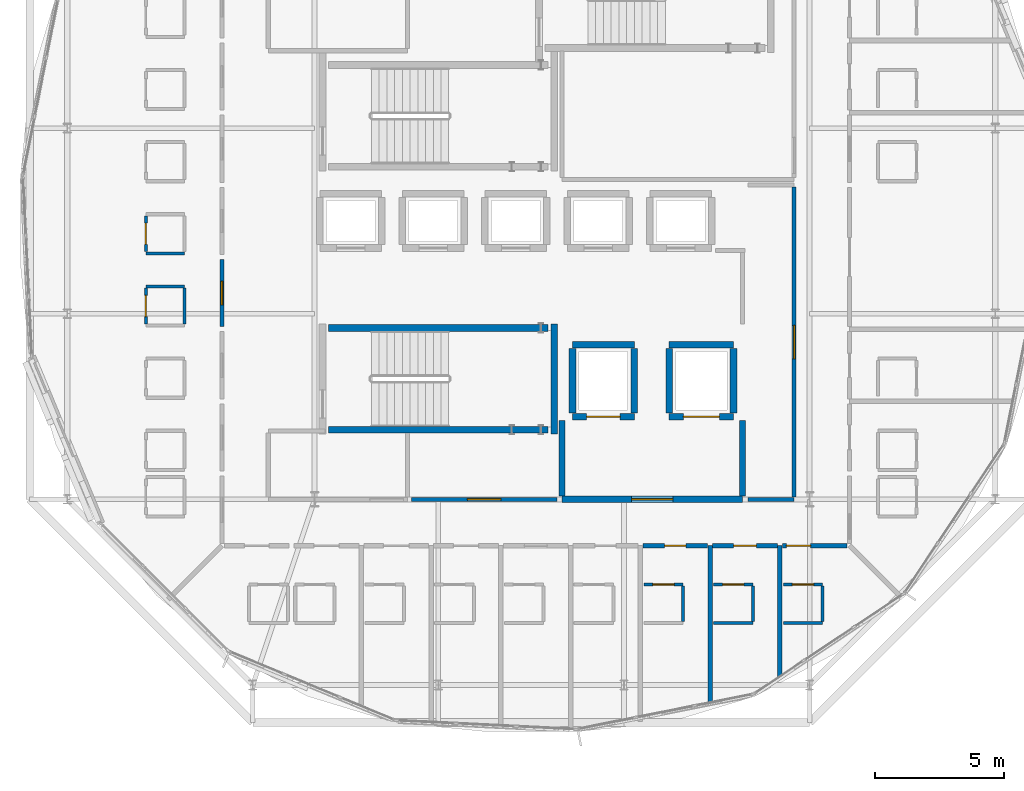
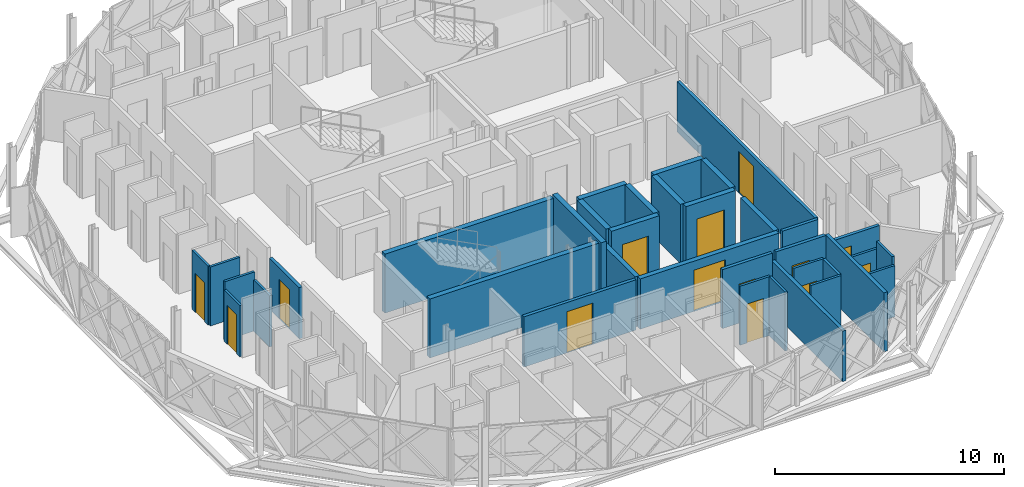
# One storey, part 14 of 24: 36 walls, 14 doors, 14 openings.
"""IFC4 building model written with IfcOpenShell, lengths in metres."""

from ifc_helpers import new_model, si_unit, direction, frame, frame_2d, origin, place, context, subcontext, project, spatial, rectangle, extrude, material, layer, layer_set, type_object, element, fill, save


model = new_model("IFC4")

# Units and contexts
model_context = context("Model", 3, precision=1e-05, world=origin(), true_north=direction((0.0, 1.0)))
body_context = subcontext(model_context, "Body", "Model", "MODEL_VIEW")
ifc_project = project(units=[si_unit("LENGTHUNIT", "METRE"), si_unit("AREAUNIT", "SQUARE_METRE"), si_unit("VOLUMEUNIT", "CUBIC_METRE"), si_unit("PLANEANGLEUNIT", "RADIAN"), si_unit("MASSUNIT", "GRAM", prefix="KILO")], contexts=[model_context])

# Site, building, storey
site_placement = place(None, origin())
site = spatial("IfcSite", under=ifc_project, at=site_placement, CompositionType="ELEMENT")
building_placement = place(site_placement, origin())
building = spatial("IfcBuilding", under=site, at=building_placement, Name="Zevrakil Square Congress Hotel", CompositionType="ELEMENT")
storey_placement = place(building_placement, frame((0.0, 0.0, 38.5)))
storey = spatial("IfcBuildingStorey", under=building, at=storey_placement, Name="L11", CompositionType="ELEMENT", Elevation=38.5)

# Wall, opening, door
ifc_material_1 = material(Name="Concrete C35/45", Category="concrete")
ifc_layer_1 = layer(ifc_material_1, 0.239990234375)
ifc_layer_set_1 = layer_set([ifc_layer_1], Name="Concrete C35/45")
wall_type_1 = type_object("IfcWallType", Name="WAL-COMP-240", PredefinedType="SOLIDWALL", material=ifc_layer_set_1)
wall_1_placement = place(storey_placement, frame((146.39990234375, 16.800048828125, 0.0), z_axis=(0.0, 0.0, 1.0), x_axis=(1.0, 0.0, 0.0)))
wall_1 = element("IfcWall", 1, at=wall_1_placement, inside=storey, type_object=wall_type_1, Name="L11 interior partition PW-L11-1777", PredefinedType="SOLIDWALL", context=body_context, shape_type="SweptSolid", body=[
    extrude(rectangle(XDim=7.0, YDim=0.239990234375, at=frame_2d((3.5, 0.0))), origin(), (0.0, 0.0, 1.0), 2.68505859375),
])
opening_1_placement = place(wall_1_placement, frame((2.699951171875, 0.0, 0.0)))
opening_1 = element("IfcOpeningElement", 2, at=opening_1_placement, cuts=wall_1, Name="Opening FD90-D", PredefinedType="OPENING", context=body_context, shape_type="SweptSolid", body=[
    extrude(rectangle(XDim=1.60009765625, YDim=2.199951171875, at=frame_2d((0.800048828125, 1.10009765625))), frame((0.0, 0.1298828125, 0.0), z_axis=(0.0, -1.0, 0.0), x_axis=(1.0, 0.0, 0.0)), (0.0, 0.0, 1.0), 0.260009765625),
])
ifc_material_2 = material(Name="Steel S355 Double Fire Door", Category="steel")
door_type_1 = type_object("IfcDoorType", Name="DOR-FFLOB-FD90-160", OperationType="NOTDEFINED", PredefinedType="DOOR", material=ifc_material_2)
door_1_placement = place(opening_1_placement, origin())
door_1 = element("IfcDoor", 3, at=door_1_placement, inside=storey, type_object=door_type_1, Name="L11 interior door 691", OperationType="DOUBLE_DOOR_SINGLE_SWING", OverallHeight=2.199951171875, OverallWidth=1.60009765625, PredefinedType="DOOR", context=body_context, shape_type="SweptSolid", body=[
    extrude(rectangle(XDim=1.60009765625, YDim=2.199951171875, at=frame_2d((0.800048828125, 1.10009765625))), frame((0.0, 0.02490234375, 0.0), z_axis=(0.0, -1.0, 0.0), x_axis=(1.0, 0.0, 0.0)), (0.0, 0.0, 1.0), 0.050048828125),
])
fill(opening_1, door_1)

# Walls
for number, where, z_axis, x_axis, name in (
    (4, (146.39990234375, 16.925048828125, 0.0), (0.0, 0.0, 1.0), (0.0, 1.0, 0.0), "L11 interior partition PW-L11-1778"),
    (5, (153.39990234375, 16.925048828125, 0.0), (0.0, 0.0, 1.0), (0.0, 1.0, 0.0), "L11 interior partition PW-L11-1779"),
):
    element("IfcWall", number, at=place(storey_placement, frame(where, z_axis=z_axis, x_axis=x_axis)), inside=storey, type_object=wall_type_1, Name=name, PredefinedType="SOLIDWALL", context=body_context, shape_type="SweptSolid", body=[
        extrude(rectangle(XDim=2.925048828125, YDim=0.239990234375, at=frame_2d((1.46240234375, 0.0))), origin(), (0.0, 0.0, 1.0), 2.68505859375),
    ])

# Wall, opening, door
ifc_material_3 = material(Name="Gypsum Acoustic Stud Partition")
ifc_layer_2 = layer(ifc_material_3, 0.159912109375)
ifc_layer_set_2 = layer_set([ifc_layer_2], Name="Gypsum Acoustic Stud Partition")
wall_type_2 = type_object("IfcWallType", Name="WAL-CORR-160", PredefinedType="PARTITIONING", material=ifc_layer_set_2)
wall_2_placement = place(storey_placement, frame((140.550048828125, 16.800048828125, 0.0), z_axis=(0.0, 0.0, 1.0), x_axis=(1.0, 0.0, 0.0)))
wall_2 = element("IfcWall", 6, at=wall_2_placement, inside=storey, type_object=wall_type_2, Name="L11 interior partition PW-L11-1784", PredefinedType="PARTITIONING", context=body_context, shape_type="SweptSolid", body=[
    extrude(rectangle(XDim=5.64990234375, YDim=0.159912109375, at=frame_2d((2.824951171875, 0.0))), origin(), (0.0, 0.0, 1.0), 2.68505859375),
])
opening_2_placement = place(wall_2_placement, frame((2.175048828125, 0.0, 0.0)))
opening_2 = element("IfcOpeningElement", 7, at=opening_2_placement, cuts=wall_2, Name="Opening ID-08", PredefinedType="OPENING", context=body_context, shape_type="SweptSolid", body=[
    extrude(rectangle(XDim=1.300048828125, YDim=2.199951171875, at=frame_2d((0.64990234375, 1.10009765625))), frame((0.0, 0.08984375, 0.0), z_axis=(0.0, -1.0, 0.0), x_axis=(1.0, 0.0, 0.0)), (0.0, 0.0, 1.0), 0.179931640625),
])
ifc_material_4 = material(Name="Service Corridor Leaf-and-Half Door")
door_type_2 = type_object("IfcDoorType", Name="DOR-BOH-130", OperationType="NOTDEFINED", PredefinedType="DOOR", material=ifc_material_4)
door_2_placement = place(opening_2_placement, origin())
door_2 = element("IfcDoor", 8, at=door_2_placement, inside=storey, type_object=door_type_2, Name="L11 interior door 693", OperationType="SINGLE_SWING_LEFT", OverallHeight=2.199951171875, OverallWidth=1.300048828125, PredefinedType="DOOR", context=body_context, shape_type="SweptSolid", body=[
    extrude(rectangle(XDim=1.300048828125, YDim=2.199951171875, at=frame_2d((0.64990234375, 1.10009765625))), frame((0.0, 0.02490234375, 0.0), z_axis=(0.0, -1.0, 0.0), x_axis=(1.0, 0.0, 0.0)), (0.0, 0.0, 1.0), 0.050048828125),
])
fill(opening_2, door_2)

# Wall
wall_3_placement = place(storey_placement, frame((153.60009765625, 16.800048828125, 0.0), z_axis=(0.0, 0.0, 1.0), x_axis=(1.0, 0.0, 0.0)))
element("IfcWall", 9, at=wall_3_placement, inside=storey, type_object=wall_type_2, Name="L11 interior partition PW-L11-1793", PredefinedType="PARTITIONING", context=body_context, shape_type="SweptSolid", body=[
    extrude(rectangle(XDim=1.7998046875, YDim=0.159912109375, at=frame_2d((0.89990234375, 0.0))), origin(), (0.0, 0.0, 1.0), 2.68505859375),
])

# Wall, opening, door
wall_4_placement = place(storey_placement, frame((155.39990234375, 16.885009765625, 0.0), z_axis=(0.0, 0.0, 1.0), x_axis=(0.0, 1.0, 0.0)))
wall_4 = element("IfcWall", 10, at=wall_4_placement, inside=storey, type_object=wall_type_2, Name="L11 interior partition PW-L11-1795", PredefinedType="PARTITIONING", context=body_context, shape_type="SweptSolid", body=[
    extrude(rectangle(XDim=12.030029296875, YDim=0.159912109375, at=frame_2d((6.01513671875, 0.0))), origin(), (0.0, 0.0, 1.0), 2.68505859375),
])
opening_3_placement = place(wall_4_placement, frame((5.364990234375, 0.0, 0.0)))
opening_3 = element("IfcOpeningElement", 11, at=opening_3_placement, cuts=wall_4, Name="Opening ID-08", PredefinedType="OPENING", context=body_context, shape_type="SweptSolid", body=[
    extrude(rectangle(XDim=1.300048828125, YDim=2.199951171875, at=frame_2d((0.64990234375, 1.10009765625))), frame((0.0, 0.08984375, 0.0), z_axis=(0.0, -1.0, 0.0), x_axis=(1.0, 0.0, 0.0)), (0.0, 0.0, 1.0), 0.179931640625),
])
door_3_placement = place(opening_3_placement, origin())
door_3 = element("IfcDoor", 12, at=door_3_placement, inside=storey, type_object=door_type_2, Name="L11 interior door 696", OperationType="SINGLE_SWING_RIGHT", OverallHeight=2.199951171875, OverallWidth=1.300048828125, PredefinedType="DOOR", context=body_context, shape_type="SweptSolid", body=[
    extrude(rectangle(XDim=1.300048828125, YDim=2.199951171875, at=frame_2d((0.64990234375, 1.10009765625))), frame((0.0, 0.02490234375, 0.0), z_axis=(0.0, -1.0, 0.0), x_axis=(1.0, 0.0, 0.0)), (0.0, 0.0, 1.0), 0.050048828125),
])
fill(opening_3, door_3)

wall_5_placement = place(storey_placement, frame((149.5283203125, 15.0, 0.0), z_axis=(0.0, 0.0, 1.0), x_axis=(1.0, 0.0, 0.0)))
wall_5 = element("IfcWall", 13, at=wall_5_placement, inside=storey, type_object=wall_type_2, Name="L11 interior partition PW-L11-1831", PredefinedType="PARTITIONING", context=body_context, shape_type="SweptSolid", body=[
    extrude(rectangle(XDim=2.515625, YDim=0.159912109375, at=frame_2d((1.2578125, 0.0))), origin(), (0.0, 0.0, 1.0), 3.14990234375),
])
opening_4_placement = place(wall_5_placement, frame((0.847900390625, 0.0, 0.0)))
opening_4 = element("IfcOpeningElement", 14, at=opening_4_placement, cuts=wall_5, Name="Opening ID-11", PredefinedType="OPENING", context=body_context, shape_type="SweptSolid", body=[
    extrude(rectangle(XDim=0.820068359375, YDim=2.080078125, at=frame_2d((0.41015625, 1.0400390625))), frame((0.0, 0.08984375, 0.0), z_axis=(0.0, -1.0, 0.0), x_axis=(1.0, 0.0, 0.0)), (0.0, 0.0, 1.0), 0.179931640625),
])
ifc_material_5 = material(Name="Acoustic Timber Door", Category="wood")
door_type_3 = type_object("IfcDoorType", Name="DOR-INT-V01", OperationType="NOTDEFINED", PredefinedType="DOOR", material=ifc_material_5)
door_4_placement = place(opening_4_placement, origin())
door_4 = element("IfcDoor", 15, at=door_4_placement, inside=storey, type_object=door_type_3, Name="L11 interior door 710", OperationType="SINGLE_SWING_RIGHT", OverallHeight=2.080078125, OverallWidth=0.820068359375, PredefinedType="DOOR", context=body_context, shape_type="SweptSolid", body=[
    extrude(rectangle(XDim=0.820068359375, YDim=2.080078125, at=frame_2d((0.41015625, 1.0400390625))), frame((0.0, 0.02490234375, 0.0), z_axis=(0.0, -1.0, 0.0), x_axis=(1.0, 0.0, 0.0)), (0.0, 0.0, 1.0), 0.050048828125),
])
fill(opening_4, door_4)

wall_6_placement = place(storey_placement, frame((152.23388671875, 15.0, 0.0), z_axis=(0.0, 0.0, 1.0), x_axis=(1.0, 0.0, 0.0)))
wall_6 = element("IfcWall", 16, at=wall_6_placement, inside=storey, type_object=wall_type_2, Name="L11 interior partition PW-L11-1836", PredefinedType="PARTITIONING", context=body_context, shape_type="SweptSolid", body=[
    extrude(rectangle(XDim=2.515625, YDim=0.159912109375, at=frame_2d((1.2578125, 0.0))), origin(), (0.0, 0.0, 1.0), 3.14990234375),
])
opening_5_placement = place(wall_6_placement, frame((0.81787109375, 0.0, 0.0)))
opening_5 = element("IfcOpeningElement", 17, at=opening_5_placement, cuts=wall_6, Name="Opening ID-12", PredefinedType="OPENING", context=body_context, shape_type="SweptSolid", body=[
    extrude(rectangle(XDim=0.8798828125, YDim=2.1201171875, at=frame_2d((0.43994140625, 1.06005859375))), frame((0.0, 0.08984375, 0.0), z_axis=(0.0, -1.0, 0.0), x_axis=(1.0, 0.0, 0.0)), (0.0, 0.0, 1.0), 0.179931640625),
])
ifc_material_6 = material(Name="Acoustic Timber Door", Category="wood")
door_type_4 = type_object("IfcDoorType", Name="DOR-INT-V02", OperationType="NOTDEFINED", PredefinedType="DOOR", material=ifc_material_6)
door_5_placement = place(opening_5_placement, origin())
door_5 = element("IfcDoor", 18, at=door_5_placement, inside=storey, type_object=door_type_4, Name="L11 interior door 712", OperationType="SINGLE_SWING_RIGHT", OverallHeight=2.1201171875, OverallWidth=0.8798828125, PredefinedType="DOOR", context=body_context, shape_type="SweptSolid", body=[
    extrude(rectangle(XDim=0.8798828125, YDim=2.1201171875, at=frame_2d((0.43994140625, 1.06005859375))), frame((0.0, 0.02490234375, 0.0), z_axis=(0.0, -1.0, 0.0), x_axis=(1.0, 0.0, 0.0)), (0.0, 0.0, 1.0), 0.050048828125),
])
fill(opening_5, door_5)

wall_7_placement = place(storey_placement, frame((154.939453125, 15.0, 0.0), z_axis=(0.0, 0.0, 1.0), x_axis=(1.0, 0.0, 0.0)))
wall_7 = element("IfcWall", 19, at=wall_7_placement, inside=storey, type_object=wall_type_2, Name="L11 interior partition PW-L11-1841", PredefinedType="PARTITIONING", context=body_context, shape_type="SweptSolid", body=[
    extrude(rectangle(XDim=2.515625, YDim=0.159912109375, at=frame_2d((1.2578125, 0.0))), origin(), (0.0, 0.0, 1.0), 2.735107421875),
])
opening_6_placement = place(wall_7_placement, frame((0.159912109375, 0.0, 0.0)))
opening_6 = element("IfcOpeningElement", 20, at=opening_6_placement, cuts=wall_7, Name="Opening ID-13", PredefinedType="OPENING", context=body_context, shape_type="SweptSolid", body=[
    extrude(rectangle(XDim=0.93994140625, YDim=2.139892578125, at=frame_2d((0.469970703125, 1.06982421875))), frame((0.0, 0.08984375, 0.0), z_axis=(0.0, -1.0, 0.0), x_axis=(1.0, 0.0, 0.0)), (0.0, 0.0, 1.0), 0.179931640625),
])
ifc_material_7 = material(Name="Acoustic Timber Fire Door", Category="wood")
door_type_5 = type_object("IfcDoorType", Name="DOR-INT-V03", OperationType="NOTDEFINED", PredefinedType="DOOR", material=ifc_material_7)
door_6_placement = place(opening_6_placement, origin())
door_6 = element("IfcDoor", 21, at=door_6_placement, inside=storey, type_object=door_type_5, Name="L11 interior door 714", OperationType="SINGLE_SWING_RIGHT", OverallHeight=2.139892578125, OverallWidth=0.93994140625, PredefinedType="DOOR", context=body_context, shape_type="SweptSolid", body=[
    extrude(rectangle(XDim=0.93994140625, YDim=2.139892578125, at=frame_2d((0.469970703125, 1.06982421875))), frame((0.0, 0.02490234375, 0.0), z_axis=(0.0, -1.0, 0.0), x_axis=(1.0, 0.0, 0.0)), (0.0, 0.0, 1.0), 0.050048828125),
])
fill(opening_6, door_6)

wall_8_placement = place(storey_placement, frame((133.199951171875, 23.4951171875, 0.0), z_axis=(0.0, 0.0, 1.0), x_axis=(0.0, 1.0, 0.0)))
wall_8 = element("IfcWall", 22, at=wall_8_placement, inside=storey, type_object=wall_type_2, Name="L11 interior partition PW-L11-1954", PredefinedType="PARTITIONING", context=body_context, shape_type="SweptSolid", body=[
    extrude(rectangle(XDim=2.60986328125, YDim=0.159912109375, at=frame_2d((1.304931640625, 0.0))), origin(), (0.0, 0.0, 1.0), 2.735107421875),
])
opening_7_placement = place(wall_8_placement, frame((0.8525390625, 0.0, 0.0)))
opening_7 = element("IfcOpeningElement", 23, at=opening_7_placement, cuts=wall_8, Name="Opening ID-G13", PredefinedType="OPENING", context=body_context, shape_type="SweptSolid", body=[
    extrude(rectangle(XDim=0.905029296875, YDim=2.110107421875, at=frame_2d((0.45263671875, 1.05517578125))), frame((0.0, 0.08984375, 0.0), z_axis=(0.0, -1.0, 0.0), x_axis=(1.0, 0.0, 0.0)), (0.0, 0.0, 1.0), 0.179931640625),
])
ifc_material_8 = material(Name="Acoustic Timber Fire Door", Category="wood")
door_type_6 = type_object("IfcDoorType", Name="DOR-INT-G13", OperationType="NOTDEFINED", PredefinedType="DOOR", material=ifc_material_8)
door_7_placement = place(opening_7_placement, origin())
door_7 = element("IfcDoor", 24, at=door_7_placement, inside=storey, type_object=door_type_6, Name="L11 interior door 758", OperationType="SINGLE_SWING_RIGHT", OverallHeight=2.110107421875, OverallWidth=0.905029296875, PredefinedType="DOOR", context=body_context, shape_type="SweptSolid", body=[
    extrude(rectangle(XDim=0.905029296875, YDim=2.110107421875, at=frame_2d((0.45263671875, 1.05517578125))), frame((0.0, 0.02490234375, 0.0), z_axis=(0.0, -1.0, 0.0), x_axis=(1.0, 0.0, 0.0)), (0.0, 0.0, 1.0), 0.050048828125),
])
fill(opening_7, door_7)

ifc_material_9 = material(Name="Moisture-Resistant Gypsum Partition")
ifc_layer_3 = layer(ifc_material_9, 0.1201171875)
ifc_layer_set_3 = layer_set([ifc_layer_3], Name="Moisture-Resistant Gypsum Partition")
wall_type_3 = type_object("IfcWallType", Name="WAL-ENS-120", PredefinedType="PARTITIONING", material=ifc_layer_set_3)
wall_9_placement = place(storey_placement, frame((149.5732421875, 13.5, 0.0), z_axis=(0.0, 0.0, 1.0), x_axis=(1.0, 0.0, 0.0)))
wall_9 = element("IfcWall", 25, at=wall_9_placement, inside=storey, type_object=wall_type_3, Name="L11 interior partition PW-L11-1833", PredefinedType="PARTITIONING", context=body_context, shape_type="SweptSolid", body=[
    extrude(rectangle(XDim=1.52001953125, YDim=0.1201171875, at=frame_2d((0.760009765625, 0.0))), origin(), (0.0, 0.0, 1.0), 3.14990234375),
])
opening_8_placement = place(wall_9_placement, frame((0.35009765625, 0.0, 0.0)))
opening_8 = element("IfcOpeningElement", 26, at=opening_8_placement, cuts=wall_9, Name="Opening ID-11", PredefinedType="OPENING", context=body_context, shape_type="SweptSolid", body=[
    extrude(rectangle(XDim=0.820068359375, YDim=2.080078125, at=frame_2d((0.41015625, 1.0400390625))), frame((0.0, 0.070068359375, 0.0), z_axis=(0.0, -1.0, 0.0), x_axis=(1.0, 0.0, 0.0)), (0.0, 0.0, 1.0), 0.14013671875),
])
door_8_placement = place(opening_8_placement, origin())
door_8 = element("IfcDoor", 27, at=door_8_placement, inside=storey, type_object=door_type_3, Name="L11 interior door 711", OperationType="SINGLE_SWING_LEFT", OverallHeight=2.080078125, OverallWidth=0.820068359375, PredefinedType="DOOR", context=body_context, shape_type="SweptSolid", body=[
    extrude(rectangle(XDim=0.820068359375, YDim=2.080078125, at=frame_2d((0.41015625, 1.0400390625))), frame((0.0, 0.02490234375, 0.0), z_axis=(0.0, -1.0, 0.0), x_axis=(1.0, 0.0, 0.0)), (0.0, 0.0, 1.0), 0.050048828125),
])
fill(opening_8, door_8)

# Walls
wall_10_placement = place(storey_placement, frame((151.09326171875, 12.06494140625, 0.0), z_axis=(0.0, 0.0, 1.0), x_axis=(0.0, 1.0, 0.0)))
element("IfcWall", 28, at=wall_10_placement, inside=storey, type_object=wall_type_3, Name="L11 interior partition PW-L11-1834", PredefinedType="PARTITIONING", context=body_context, shape_type="SweptSolid", body=[
    extrude(rectangle(XDim=1.3701171875, YDim=0.1201171875, at=frame_2d((0.68505859375, 0.0))), origin(), (0.0, 0.0, 1.0), 3.14990234375),
])
wall_11_placement = place(storey_placement, frame((152.27880859375, 12.0, 0.0), z_axis=(0.0, 0.0, 1.0), x_axis=(1.0, 0.0, 0.0)))
element("IfcWall", 29, at=wall_11_placement, inside=storey, type_object=wall_type_3, Name="L11 interior partition PW-L11-1837", PredefinedType="PARTITIONING", context=body_context, shape_type="SweptSolid", body=[
    extrude(rectangle(XDim=1.52001953125, YDim=0.1201171875, at=frame_2d((0.760009765625, 0.0))), origin(), (0.0, 0.0, 1.0), 3.14990234375),
])

# Wall, opening, door
wall_12_placement = place(storey_placement, frame((152.27880859375, 13.5, 0.0), z_axis=(0.0, 0.0, 1.0), x_axis=(1.0, 0.0, 0.0)))
wall_12 = element("IfcWall", 30, at=wall_12_placement, inside=storey, type_object=wall_type_3, Name="L11 interior partition PW-L11-1838", PredefinedType="PARTITIONING", context=body_context, shape_type="SweptSolid", body=[
    extrude(rectangle(XDim=1.52001953125, YDim=0.1201171875, at=frame_2d((0.760009765625, 0.0))), origin(), (0.0, 0.0, 1.0), 3.14990234375),
])
opening_9_placement = place(wall_12_placement, frame((0.35009765625, 0.0, 0.0)))
opening_9 = element("IfcOpeningElement", 31, at=opening_9_placement, cuts=wall_12, Name="Opening ID-11", PredefinedType="OPENING", context=body_context, shape_type="SweptSolid", body=[
    extrude(rectangle(XDim=0.820068359375, YDim=2.080078125, at=frame_2d((0.41015625, 1.0400390625))), frame((0.0, 0.070068359375, 0.0), z_axis=(0.0, -1.0, 0.0), x_axis=(1.0, 0.0, 0.0)), (0.0, 0.0, 1.0), 0.14013671875),
])
door_9_placement = place(opening_9_placement, origin())
door_9 = element("IfcDoor", 32, at=door_9_placement, inside=storey, type_object=door_type_3, Name="L11 interior door 713", OperationType="SINGLE_SWING_LEFT", OverallHeight=2.080078125, OverallWidth=0.820068359375, PredefinedType="DOOR", context=body_context, shape_type="SweptSolid", body=[
    extrude(rectangle(XDim=0.820068359375, YDim=2.080078125, at=frame_2d((0.41015625, 1.0400390625))), frame((0.0, 0.02490234375, 0.0), z_axis=(0.0, -1.0, 0.0), x_axis=(1.0, 0.0, 0.0)), (0.0, 0.0, 1.0), 0.050048828125),
])
fill(opening_9, door_9)

# Walls
wall_13_placement = place(storey_placement, frame((153.798828125, 12.06494140625, 0.0), z_axis=(0.0, 0.0, 1.0), x_axis=(0.0, 1.0, 0.0)))
element("IfcWall", 33, at=wall_13_placement, inside=storey, type_object=wall_type_3, Name="L11 interior partition PW-L11-1839", PredefinedType="PARTITIONING", context=body_context, shape_type="SweptSolid", body=[
    extrude(rectangle(XDim=1.3701171875, YDim=0.1201171875, at=frame_2d((0.68505859375, 0.0))), origin(), (0.0, 0.0, 1.0), 3.14990234375),
])
wall_14_placement = place(storey_placement, frame((154.984375, 12.0, 0.0), z_axis=(0.0, 0.0, 1.0), x_axis=(1.0, 0.0, 0.0)))
element("IfcWall", 34, at=wall_14_placement, inside=storey, type_object=wall_type_3, Name="L11 interior partition PW-L11-1842", PredefinedType="PARTITIONING", context=body_context, shape_type="SweptSolid", body=[
    extrude(rectangle(XDim=1.52001953125, YDim=0.1201171875, at=frame_2d((0.760009765625, 0.0))), origin(), (0.0, 0.0, 1.0), 2.735107421875),
])

# Wall, opening, door
wall_15_placement = place(storey_placement, frame((154.984375, 13.5, 0.0), z_axis=(0.0, 0.0, 1.0), x_axis=(1.0, 0.0, 0.0)))
wall_15 = element("IfcWall", 35, at=wall_15_placement, inside=storey, type_object=wall_type_3, Name="L11 interior partition PW-L11-1843", PredefinedType="PARTITIONING", context=body_context, shape_type="SweptSolid", body=[
    extrude(rectangle(XDim=1.52001953125, YDim=0.1201171875, at=frame_2d((0.760009765625, 0.0))), origin(), (0.0, 0.0, 1.0), 2.735107421875),
])
opening_10_placement = place(wall_15_placement, frame((0.35009765625, 0.0, 0.0)))
opening_10 = element("IfcOpeningElement", 36, at=opening_10_placement, cuts=wall_15, Name="Opening ID-11", PredefinedType="OPENING", context=body_context, shape_type="SweptSolid", body=[
    extrude(rectangle(XDim=0.820068359375, YDim=2.080078125, at=frame_2d((0.41015625, 1.0400390625))), frame((0.0, 0.070068359375, 0.0), z_axis=(0.0, -1.0, 0.0), x_axis=(1.0, 0.0, 0.0)), (0.0, 0.0, 1.0), 0.14013671875),
])
door_10_placement = place(opening_10_placement, origin())
door_10 = element("IfcDoor", 37, at=door_10_placement, inside=storey, type_object=door_type_3, Name="L11 interior door 715", OperationType="SINGLE_SWING_LEFT", OverallHeight=2.080078125, OverallWidth=0.820068359375, PredefinedType="DOOR", context=body_context, shape_type="SweptSolid", body=[
    extrude(rectangle(XDim=0.820068359375, YDim=2.080078125, at=frame_2d((0.41015625, 1.0400390625))), frame((0.0, 0.02490234375, 0.0), z_axis=(0.0, -1.0, 0.0), x_axis=(1.0, 0.0, 0.0)), (0.0, 0.0, 1.0), 0.050048828125),
])
fill(opening_10, door_10)

# Walls
wall_16_placement = place(storey_placement, frame((156.50439453125, 12.06494140625, 0.0), z_axis=(0.0, 0.0, 1.0), x_axis=(0.0, 1.0, 0.0)))
element("IfcWall", 38, at=wall_16_placement, inside=storey, type_object=wall_type_3, Name="L11 interior partition PW-L11-1844", PredefinedType="PARTITIONING", context=body_context, shape_type="SweptSolid", body=[
    extrude(rectangle(XDim=1.3701171875, YDim=0.1201171875, at=frame_2d((0.68505859375, 0.0))), origin(), (0.0, 0.0, 1.0), 3.14990234375),
])
wall_17_placement = place(storey_placement, frame((130.25, 26.340087890625, 0.0), z_axis=(0.0, 0.0, 1.0), x_axis=(1.0, 0.0, 0.0)))
element("IfcWall", 39, at=wall_17_placement, inside=storey, type_object=wall_type_3, Name="L11 interior partition PW-L11-1950", PredefinedType="PARTITIONING", context=body_context, shape_type="SweptSolid", body=[
    extrude(rectangle(XDim=1.5, YDim=0.1201171875, at=frame_2d((0.75, 0.0))), origin(), (0.0, 0.0, 1.0), 3.14990234375),
])

# Wall, opening, door
wall_18_placement = place(storey_placement, frame((130.25, 26.405029296875, 0.0), z_axis=(0.0, 0.0, 1.0), x_axis=(0.0, 1.0, 0.0)))
wall_18 = element("IfcWall", 40, at=wall_18_placement, inside=storey, type_object=wall_type_3, Name="L11 interior partition PW-L11-1952", PredefinedType="PARTITIONING", context=body_context, shape_type="SweptSolid", body=[
    extrude(rectangle(XDim=1.389892578125, YDim=0.1201171875, at=frame_2d((0.69482421875, 0.0))), origin(), (0.0, 0.0, 1.0), 3.14990234375),
])
opening_11_placement = place(wall_18_placement, frame((0.284912109375, 0.0, 0.0)))
opening_11 = element("IfcOpeningElement", 41, at=opening_11_placement, cuts=wall_18, Name="Opening ID-11", PredefinedType="OPENING", context=body_context, shape_type="SweptSolid", body=[
    extrude(rectangle(XDim=0.820068359375, YDim=2.080078125, at=frame_2d((0.41015625, 1.0400390625))), frame((0.0, 0.070068359375, 0.0), z_axis=(0.0, -1.0, 0.0), x_axis=(1.0, 0.0, 0.0)), (0.0, 0.0, 1.0), 0.14013671875),
])
door_11_placement = place(opening_11_placement, origin())
door_11 = element("IfcDoor", 42, at=door_11_placement, inside=storey, type_object=door_type_3, Name="L11 interior door 757", OperationType="SINGLE_SWING_LEFT", OverallHeight=2.080078125, OverallWidth=0.820068359375, PredefinedType="DOOR", context=body_context, shape_type="SweptSolid", body=[
    extrude(rectangle(XDim=0.820068359375, YDim=2.080078125, at=frame_2d((0.41015625, 1.0400390625))), frame((0.0, 0.02490234375, 0.0), z_axis=(0.0, -1.0, 0.0), x_axis=(1.0, 0.0, 0.0)), (0.0, 0.0, 1.0), 0.050048828125),
])
fill(opening_11, door_11)

# Wall
wall_19_placement = place(storey_placement, frame((130.25, 25.06005859375, 0.0), z_axis=(0.0, 0.0, 1.0), x_axis=(1.0, 0.0, 0.0)))
element("IfcWall", 43, at=wall_19_placement, inside=storey, type_object=wall_type_3, Name="L11 interior partition PW-L11-1956", PredefinedType="PARTITIONING", context=body_context, shape_type="SweptSolid", body=[
    extrude(rectangle(XDim=1.5, YDim=0.1201171875, at=frame_2d((0.75, 0.0))), origin(), (0.0, 0.0, 1.0), 3.14990234375),
])

# Wall, opening, door
wall_20_placement = place(storey_placement, frame((130.25, 23.60498046875, 0.0), z_axis=(0.0, 0.0, 1.0), x_axis=(0.0, 1.0, 0.0)))
wall_20 = element("IfcWall", 44, at=wall_20_placement, inside=storey, type_object=wall_type_3, Name="L11 interior partition PW-L11-1957", PredefinedType="PARTITIONING", context=body_context, shape_type="SweptSolid", body=[
    extrude(rectangle(XDim=1.39013671875, YDim=0.1201171875, at=frame_2d((0.695068359375, 0.0))), origin(), (0.0, 0.0, 1.0), 2.735107421875),
])
opening_12_placement = place(wall_20_placement, frame((0.284912109375, 0.0, 0.0)))
opening_12 = element("IfcOpeningElement", 45, at=opening_12_placement, cuts=wall_20, Name="Opening ID-11", PredefinedType="OPENING", context=body_context, shape_type="SweptSolid", body=[
    extrude(rectangle(XDim=0.820068359375, YDim=2.080078125, at=frame_2d((0.41015625, 1.0400390625))), frame((0.0, 0.070068359375, 0.0), z_axis=(0.0, -1.0, 0.0), x_axis=(1.0, 0.0, 0.0)), (0.0, 0.0, 1.0), 0.14013671875),
])
door_12_placement = place(opening_12_placement, origin())
door_12 = element("IfcDoor", 46, at=door_12_placement, inside=storey, type_object=door_type_3, Name="L11 interior door 759", OperationType="SINGLE_SWING_LEFT", OverallHeight=2.080078125, OverallWidth=0.820068359375, PredefinedType="DOOR", context=body_context, shape_type="SweptSolid", body=[
    extrude(rectangle(XDim=0.820068359375, YDim=2.080078125, at=frame_2d((0.41015625, 1.0400390625))), frame((0.0, 0.02490234375, 0.0), z_axis=(0.0, -1.0, 0.0), x_axis=(1.0, 0.0, 0.0)), (0.0, 0.0, 1.0), 0.050048828125),
])
fill(opening_12, door_12)

# Walls
wall_21_placement = place(storey_placement, frame((131.75, 23.60498046875, 0.0), z_axis=(0.0, 0.0, 1.0), x_axis=(0.0, 1.0, 0.0)))
element("IfcWall", 47, at=wall_21_placement, inside=storey, type_object=wall_type_3, Name="L11 interior partition PW-L11-1958", PredefinedType="PARTITIONING", context=body_context, shape_type="SweptSolid", body=[
    extrude(rectangle(XDim=1.39013671875, YDim=0.1201171875, at=frame_2d((0.695068359375, 0.0))), origin(), (0.0, 0.0, 1.0), 2.735107421875),
])
ifc_material_10 = material(Name="Gypsum Twin-Stud Party Partition")
ifc_layer_4 = layer(ifc_material_10, 0.179931640625)
ifc_layer_set_4 = layer_set([ifc_layer_4], Name="Gypsum Twin-Stud Party Partition")
wall_type_4 = type_object("IfcWallType", Name="WAL-PARTY-180", PredefinedType="PARTITIONING", material=ifc_layer_set_4)
wall_22_placement = place(storey_placement, frame((152.138916015625, 8.795654296875, 0.0), z_axis=(0.0, 0.0, 1.0), x_axis=(0.0, 1.0, 0.0)))
element("IfcWall", 48, at=wall_22_placement, inside=storey, type_object=wall_type_4, Name="L11 interior partition PW-L11-1835", PredefinedType="PARTITIONING", context=body_context, shape_type="SweptSolid", body=[
    extrude(rectangle(XDim=6.204345703125, YDim=0.179931640625, at=frame_2d((3.10205078125, 0.0))), origin(), (0.0, 0.0, 1.0), 2.695068359375),
])
wall_23_placement = place(storey_placement, frame((154.844482421875, 9.8583984375, 0.0), z_axis=(0.0, 0.0, 1.0), x_axis=(0.0, 1.0, 0.0)))
element("IfcWall", 49, at=wall_23_placement, inside=storey, type_object=wall_type_4, Name="L11 interior partition PW-L11-1840", PredefinedType="PARTITIONING", context=body_context, shape_type="SweptSolid", body=[
    extrude(rectangle(XDim=5.1416015625, YDim=0.179931640625, at=frame_2d((2.57080078125, 0.0))), origin(), (0.0, 0.0, 1.0), 3.14990234375),
])
ifc_material_11 = material(Name="Concrete C40/50", Category="concrete")
ifc_layer_5 = layer(ifc_material_11, 0.260009765625)
ifc_layer_set_5 = layer_set([ifc_layer_5], Name="Concrete C40/50")
wall_type_5 = type_object("IfcWallType", Name="WAL-SHAFT-260", PredefinedType="SHEAR", material=ifc_layer_set_5)
wall_24_placement = place(storey_placement, frame((146.094970703125, 19.340087890625, 0.0), z_axis=(0.0, 0.0, 1.0), x_axis=(0.0, 1.0, 0.0)))
element("IfcWall", 50, at=wall_24_placement, inside=storey, type_object=wall_type_5, Name="L11 ST01 stair shaft E wall", PredefinedType="SHEAR", context=body_context, shape_type="SweptSolid", body=[
    extrude(rectangle(XDim=4.27001953125, YDim=0.260009765625, at=frame_2d((2.135009765625, 0.0))), origin(), (0.0, 0.0, 1.0), 3.14990234375),
])
for number, where, z_axis, x_axis, name in (
    (51, (137.340087890625, 19.5048828125, 0.0), (0.0, 0.0, 1.0), (1.0, 0.0, 0.0), "L11 ST01 stair shaft S wall"),
    (52, (137.340087890625, 23.445068359375, 0.0), (0.0, 0.0, 1.0), (1.0, 0.0, 0.0), "L11 ST01 stair shaft N wall"),
):
    element("IfcWall", number, at=place(storey_placement, frame(where, z_axis=z_axis, x_axis=x_axis)), inside=storey, type_object=wall_type_5, Name=name, PredefinedType="SHEAR", context=body_context, shape_type="SweptSolid", body=[
        extrude(rectangle(XDim=8.52001953125, YDim=0.260009765625, at=frame_2d((4.260009765625, 0.0))), origin(), (0.0, 0.0, 1.0), 3.14990234375),
    ])

# Wall, opening, door
wall_25_placement = place(storey_placement, frame((146.800048828125, 20.0, 0.0), z_axis=(0.0, 0.0, 1.0), x_axis=(1.0, 0.0, 0.0)))
wall_25 = element("IfcWall", 53, at=wall_25_placement, inside=storey, type_object=wall_type_5, Name="L11 FFL1 lift shaft wall", PredefinedType="SHEAR", context=body_context, shape_type="SweptSolid", body=[
    extrude(rectangle(XDim=2.39990234375, YDim=0.260009765625, at=frame_2d((1.199951171875, 0.0))), origin(), (0.0, 0.0, 1.0), 3.14990234375),
])
opening_13_placement = place(wall_25_placement, frame((0.550048828125, 0.0, 0.0)))
opening_13 = element("IfcOpeningElement", 54, at=opening_13_placement, cuts=wall_25, Name="Opening LD-FFL1", PredefinedType="OPENING", context=body_context, shape_type="SweptSolid", body=[
    extrude(rectangle(XDim=1.300048828125, YDim=2.25, at=frame_2d((0.64990234375, 1.125))), frame((0.0, 0.14013671875, 0.0), z_axis=(0.0, -1.0, 0.0), x_axis=(1.0, 0.0, 0.0)), (0.0, 0.0, 1.0), 0.280029296875),
])
ifc_material_12 = material(Name="Stretcher Firefighting Sliding Landing Door")
door_type_7 = type_object("IfcDoorType", Name="DOR-LIFT-LD130", OperationType="NOTDEFINED", PredefinedType="DOOR", material=ifc_material_12)
door_13_placement = place(opening_13_placement, origin())
door_13 = element("IfcDoor", 55, at=door_13_placement, inside=storey, type_object=door_type_7, Name="L11 FFL1 sliding lift landing door", OperationType="SLIDING_TO_RIGHT", OverallHeight=2.25, OverallWidth=1.300048828125, PredefinedType="DOOR", context=body_context, shape_type="SweptSolid", body=[
    extrude(rectangle(XDim=1.300048828125, YDim=2.25, at=frame_2d((0.64990234375, 1.125))), frame((0.0, 0.02490234375, 0.0), z_axis=(0.0, -1.0, 0.0), x_axis=(1.0, 0.0, 0.0)), (0.0, 0.0, 1.0), 0.050048828125),
])
fill(opening_13, door_13)

# Walls
wall_26_placement = place(storey_placement, frame((146.800048828125, 22.800048828125, 0.0), z_axis=(0.0, 0.0, 1.0), x_axis=(1.0, 0.0, 0.0)))
element("IfcWall", 56, at=wall_26_placement, inside=storey, type_object=wall_type_5, Name="L11 FFL1 lift shaft wall", PredefinedType="SHEAR", context=body_context, shape_type="SweptSolid", body=[
    extrude(rectangle(XDim=2.39990234375, YDim=0.260009765625, at=frame_2d((1.199951171875, 0.0))), origin(), (0.0, 0.0, 1.0), 3.14990234375),
])
for number, where, z_axis, x_axis, name in (
    (57, (146.800048828125, 20.139892578125, 0.0), (0.0, 0.0, 1.0), (0.0, 1.0, 0.0), "L11 FFL1 lift shaft wall"),
    (58, (149.199951171875, 20.139892578125, 0.0), (0.0, 0.0, 1.0), (0.0, 1.0, 0.0), "L11 FFL1 lift shaft wall"),
):
    element("IfcWall", number, at=place(storey_placement, frame(where, z_axis=z_axis, x_axis=x_axis)), inside=storey, type_object=wall_type_5, Name=name, PredefinedType="SHEAR", context=body_context, shape_type="SweptSolid", body=[
        extrude(rectangle(XDim=2.52001953125, YDim=0.260009765625, at=frame_2d((1.260009765625, 0.0))), origin(), (0.0, 0.0, 1.0), 3.14990234375),
    ])

# Wall, opening, door
wall_27_placement = place(storey_placement, frame((150.550048828125, 20.0, 0.0), z_axis=(0.0, 0.0, 1.0), x_axis=(1.0, 0.0, 0.0)))
wall_27 = element("IfcWall", 59, at=wall_27_placement, inside=storey, type_object=wall_type_5, Name="L11 SL1 lift shaft wall", PredefinedType="SHEAR", context=body_context, shape_type="SweptSolid", body=[
    extrude(rectangle(XDim=2.5, YDim=0.260009765625, at=frame_2d((1.25, 0.0))), origin(), (0.0, 0.0, 1.0), 3.14990234375),
])
opening_14_placement = place(wall_27_placement, frame((0.550048828125, 0.0, 0.0)))
opening_14 = element("IfcOpeningElement", 60, at=opening_14_placement, cuts=wall_27, Name="Opening LD-SL1", PredefinedType="OPENING", context=body_context, shape_type="SweptSolid", body=[
    extrude(rectangle(XDim=1.39990234375, YDim=2.300048828125, at=frame_2d((0.699951171875, 1.14990234375))), frame((0.0, 0.14013671875, 0.0), z_axis=(0.0, -1.0, 0.0), x_axis=(1.0, 0.0, 0.0)), (0.0, 0.0, 1.0), 0.280029296875),
])
ifc_material_13 = material(Name="Goods Service Sliding Landing Door")
door_type_8 = type_object("IfcDoorType", Name="DOR-LIFT-LD140", OperationType="NOTDEFINED", PredefinedType="DOOR", material=ifc_material_13)
door_14_placement = place(opening_14_placement, origin())
door_14 = element("IfcDoor", 61, at=door_14_placement, inside=storey, type_object=door_type_8, Name="L11 SL1 sliding lift landing door", OperationType="SLIDING_TO_LEFT", OverallHeight=2.300048828125, OverallWidth=1.39990234375, PredefinedType="DOOR", context=body_context, shape_type="SweptSolid", body=[
    extrude(rectangle(XDim=1.39990234375, YDim=2.300048828125, at=frame_2d((0.699951171875, 1.14990234375))), frame((0.0, 0.02490234375, 0.0), z_axis=(0.0, -1.0, 0.0), x_axis=(1.0, 0.0, 0.0)), (0.0, 0.0, 1.0), 0.050048828125),
])
fill(opening_14, door_14)

# Walls
wall_28_placement = place(storey_placement, frame((150.550048828125, 22.800048828125, 0.0), z_axis=(0.0, 0.0, 1.0), x_axis=(1.0, 0.0, 0.0)))
element("IfcWall", 62, at=wall_28_placement, inside=storey, type_object=wall_type_5, Name="L11 SL1 lift shaft wall", PredefinedType="SHEAR", context=body_context, shape_type="SweptSolid", body=[
    extrude(rectangle(XDim=2.5, YDim=0.260009765625, at=frame_2d((1.25, 0.0))), origin(), (0.0, 0.0, 1.0), 3.14990234375),
])
for number, where, z_axis, x_axis, name in (
    (63, (150.550048828125, 20.139892578125, 0.0), (0.0, 0.0, 1.0), (0.0, 1.0, 0.0), "L11 SL1 lift shaft wall"),
    (64, (153.050048828125, 20.139892578125, 0.0), (0.0, 0.0, 1.0), (0.0, 1.0, 0.0), "L11 SL1 lift shaft wall"),
):
    element("IfcWall", number, at=place(storey_placement, frame(where, z_axis=z_axis, x_axis=x_axis)), inside=storey, type_object=wall_type_5, Name=name, PredefinedType="SHEAR", context=body_context, shape_type="SweptSolid", body=[
        extrude(rectangle(XDim=2.52001953125, YDim=0.260009765625, at=frame_2d((1.260009765625, 0.0))), origin(), (0.0, 0.0, 1.0), 3.14990234375),
    ])

save(model, "model.ifc")
